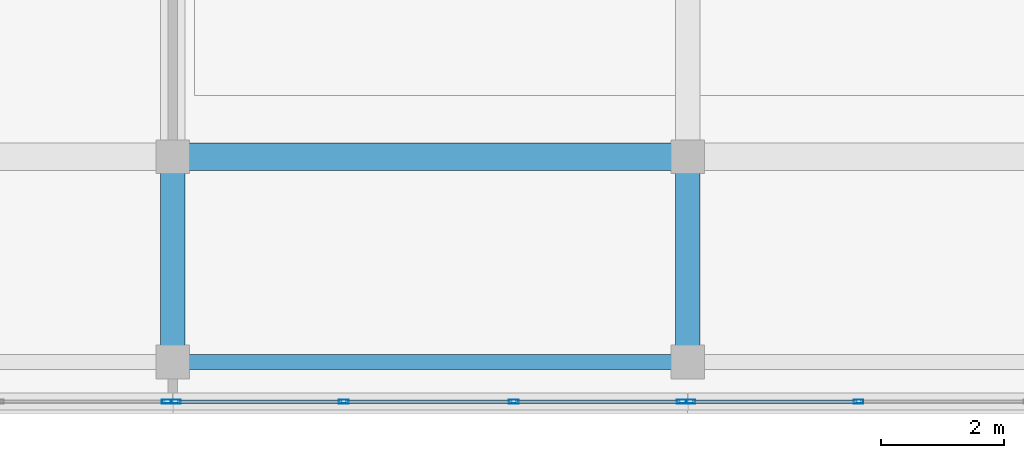
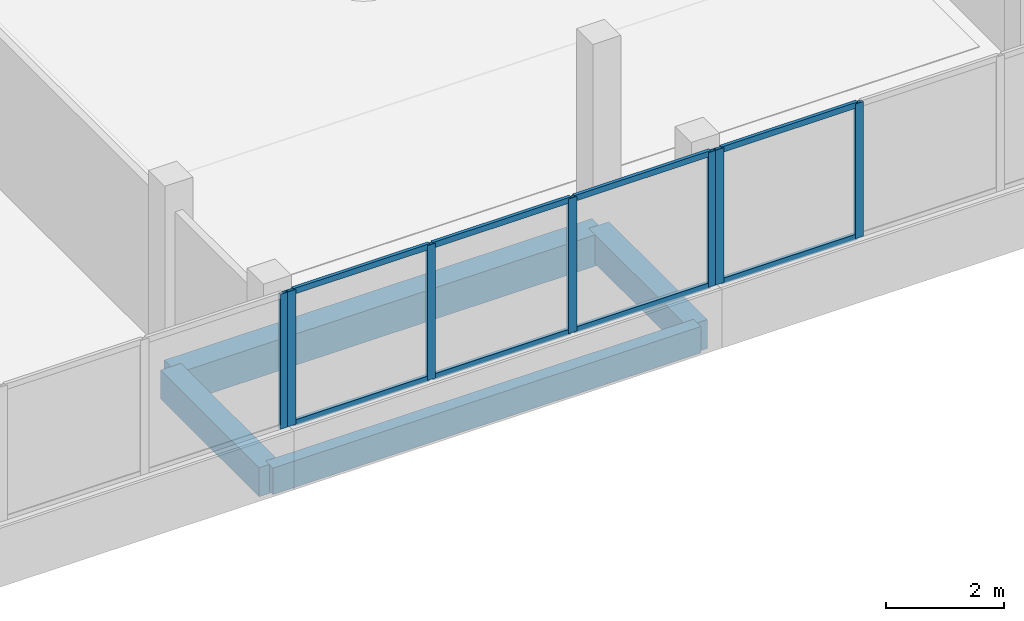
# One storey, part 34 of 67: 15 members, 4 beams, 3 elements without a shape of their own.
"""IFC4 building model written with IfcOpenShell, lengths in metres."""

from ifc_helpers import new_model, si_unit, direction, frame, origin, origin_2d, place, context, subcontext, project, spatial, rectangle, hollow_rectangle, extrude, material, material_profile, profile_set, type_object, element, aggregate, save


model = new_model("IFC4")

# Units and contexts
model_context = context("Model", 3, precision=1e-05, world=origin(), true_north=direction((0.0, 1.0)))
body_context = subcontext(model_context, "Body", "Model", "MODEL_VIEW")
ifc_project = project(units=[si_unit("LENGTHUNIT", "METRE"), si_unit("AREAUNIT", "SQUARE_METRE"), si_unit("VOLUMEUNIT", "CUBIC_METRE"), si_unit("PLANEANGLEUNIT", "RADIAN"), si_unit("MASSUNIT", "GRAM", prefix="KILO")], contexts=[model_context])

# Site, building, storey
site_placement = place(None, origin())
site = spatial("IfcSite", under=ifc_project, at=site_placement, CompositionType="ELEMENT")
building_placement = place(site_placement, origin())
building = spatial("IfcBuilding", under=site, at=building_placement, Name="Selatvlak General Hospital", CompositionType="ELEMENT")
storey_placement = place(building_placement, frame((0.0, 0.0, 35.39990234375)))
storey = spatial("IfcBuildingStorey", under=building, at=storey_placement, Name="L08", CompositionType="ELEMENT", Elevation=35.39990234375)

# Beams
ifc_material_1 = material(Name="Concrete C40/50", Category="concrete")
ifc_material_profile_1 = material_profile(ifc_material_1, rectangle(XDim=0.449951171875, YDim=0.64990234375, at=origin_2d()), Name="RC-BM 450x650")
ifc_profile_set_1 = profile_set([ifc_material_profile_1], Name="Concrete C40/50")
beam_type_1 = type_object("IfcBeamType", Name="BM-G04", PredefinedType="BEAM", material=ifc_profile_set_1)
beam_1_placement = place(storey_placement, frame((123.60009765625, 92.0, -0.58984375), z_axis=(1.0, 0.0, 0.0), x_axis=(0.0, 1.0, 0.0)))
element("IfcBeam", 1, at=beam_1_placement, inside=storey, type_object=beam_type_1, Name="Beam BMR-L08-2580", PredefinedType="BEAM", context=body_context, shape_type="SweptSolid", body=[
    extrude(rectangle(XDim=0.449951171875, YDim=0.64990234375, at=origin_2d()), origin(), (0.0, 0.0, 1.0), 8.39990234375),
])
ifc_material_profile_2 = material_profile(ifc_material_1, rectangle(XDim=0.39990234375, YDim=0.60009765625, at=origin_2d()), Name="RC-BM 400x600")
ifc_profile_set_2 = profile_set([ifc_material_profile_2], Name="Concrete C40/50")
beam_type_2 = type_object("IfcBeamType", Name="BM-G05", PredefinedType="BEAM", material=ifc_profile_set_2)
for number, where, z_axis, x_axis, name in (
    (2, (123.60009765625, 88.64990234375, -0.56494140625), (0.0, 1.0, 0.0), (-1.0, 0.0, 0.0), "Beam BMR-L08-2689"),
    (3, (132.0, 88.64990234375, -0.56494140625), (0.0, 1.0, 0.0), (-1.0, 0.0, 0.0), "Beam BMR-L08-2694"),
):
    element("IfcBeam", number, at=place(storey_placement, frame(where, z_axis=z_axis, x_axis=x_axis)), inside=storey, type_object=beam_type_2, Name=name, PredefinedType="BEAM", context=body_context, shape_type="SweptSolid", body=[
        extrude(rectangle(XDim=0.39990234375, YDim=0.60009765625, at=origin_2d()), origin(), (0.0, 0.0, 1.0), 3.35009765625),
    ])
ifc_material_profile_3 = material_profile(ifc_material_1, rectangle(XDim=0.25, YDim=0.550048828125, at=origin_2d()), Name="RC-SP 250x550")
ifc_profile_set_3 = profile_set([ifc_material_profile_3], Name="Concrete C40/50")
beam_type_3 = type_object("IfcBeamType", Name="BM-SP2", PredefinedType="SPANDREL", material=ifc_profile_set_3)
beam_2_placement = place(storey_placement, frame((123.60009765625, 88.64990234375, -0.539794921875), z_axis=(1.0, 0.0, 0.0), x_axis=(0.0, 1.0, 0.0)))
element("IfcBeam", 4, at=beam_2_placement, inside=storey, type_object=beam_type_3, Name="Beam BMR-L08-2563", PredefinedType="SPANDREL", context=body_context, shape_type="SweptSolid", body=[
    extrude(rectangle(XDim=0.25, YDim=0.550048828125, at=origin_2d()), origin(), (0.0, 0.0, 1.0), 8.39990234375),
])

# Curtain wall, members
ifc_material_2 = material(Name="Solar-control Low-E double glazing", Category="glass")
curtain_wall_type_1 = type_object("IfcCurtainWallType", Name="CW-CW-02", PredefinedType="USERDEFINED", material=ifc_material_2)
curtain_wall_1_placement = place(storey_placement, origin())
curtain_wall_1 = element("IfcCurtainWall", 5, at=curtain_wall_1_placement, inside=storey, type_object=curtain_wall_type_1, Name="Glazed facade curtain wall CW-L08-0703", ObjectType="UNITISED CURTAIN WALL", PredefinedType="USERDEFINED")
ifc_material_3 = material(Name="Dark anodised aluminium mullion", Category="aluminium")
ifc_material_profile_4 = material_profile(ifc_material_3, hollow_rectangle(XDim=0.06494140625, YDim=0.159912109375, WallThickness=0.00390625, at=origin_2d()), Name="AL-MUL 65x160x4")
ifc_profile_set_4 = profile_set([ifc_material_profile_4], Name="Dark anodised aluminium mullion")
member_type_1 = type_object("IfcMemberType", Name="CWM-01", PredefinedType="MULLION", material=ifc_profile_set_4)
member_1_placement = place(storey_placement, frame((134.788330078125, 88.0009765625, 0.940185546875), z_axis=(0.0, 0.0, 1.0), x_axis=(0.0, -1.0, 0.0)))
member_1 = element("IfcMember", 6, at=member_1_placement, type_object=member_type_1, Name="CW-02 mullion 3", PredefinedType="MULLION", context=body_context, shape_type="SweptSolid", body=[
    extrude(hollow_rectangle(XDim=0.06494140625, YDim=0.159912109375, WallThickness=0.00390625, at=origin_2d()), origin(), (0.0, 0.0, 1.0), 2.7998046875),
])
member_2_placement = place(storey_placement, frame((132.047607421875, 88.0009765625, 0.940185546875), z_axis=(0.0, 0.0, 1.0), x_axis=(0.0, -1.0, 0.0)))
member_2 = element("IfcMember", 7, at=member_2_placement, type_object=member_type_1, Name="CW-02 mullion 4", PredefinedType="MULLION", context=body_context, shape_type="SweptSolid", body=[
    extrude(hollow_rectangle(XDim=0.06494140625, YDim=0.159912109375, WallThickness=0.00390625, at=origin_2d()), origin(), (0.0, 0.0, 1.0), 2.7998046875),
])

curtain_wall_type_2 = type_object("IfcCurtainWallType", Name="CW-CW-01", PredefinedType="USERDEFINED", material=ifc_material_2)
curtain_wall_2_placement = place(storey_placement, origin())
curtain_wall_2 = element("IfcCurtainWall", 8, at=curtain_wall_2_placement, inside=storey, type_object=curtain_wall_type_2, Name="Glazed facade curtain wall CW-L08-0704", ObjectType="UNITISED CURTAIN WALL", PredefinedType="USERDEFINED")
member_3_placement = place(storey_placement, frame((131.902587890625, 88.0009765625, 0.940185546875), z_axis=(0.0, 0.0, 1.0), x_axis=(0.0, -1.0, 0.0)))
member_3 = element("IfcMember", 9, at=member_3_placement, type_object=member_type_1, Name="CW-01 mullion 1", PredefinedType="MULLION", context=body_context, shape_type="SweptSolid", body=[
    extrude(hollow_rectangle(XDim=0.06494140625, YDim=0.159912109375, WallThickness=0.00390625, at=origin_2d()), origin(), (0.0, 0.0, 1.0), 2.7998046875),
])
member_4_placement = place(storey_placement, frame((129.16162109375, 88.0009765625, 0.940185546875), z_axis=(0.0, 0.0, 1.0), x_axis=(0.0, -1.0, 0.0)))
member_4 = element("IfcMember", 10, at=member_4_placement, type_object=member_type_1, Name="CW-01 mullion 2", PredefinedType="MULLION", context=body_context, shape_type="SweptSolid", body=[
    extrude(hollow_rectangle(XDim=0.06494140625, YDim=0.159912109375, WallThickness=0.00390625, at=origin_2d()), origin(), (0.0, 0.0, 1.0), 2.7998046875),
])
member_5_placement = place(storey_placement, frame((126.388427734375, 88.0009765625, 0.940185546875), z_axis=(0.0, 0.0, 1.0), x_axis=(0.0, -1.0, 0.0)))
member_5 = element("IfcMember", 11, at=member_5_placement, type_object=member_type_1, Name="CW-01 mullion 3", PredefinedType="MULLION", context=body_context, shape_type="SweptSolid", body=[
    extrude(hollow_rectangle(XDim=0.06494140625, YDim=0.159912109375, WallThickness=0.00390625, at=origin_2d()), origin(), (0.0, 0.0, 1.0), 2.7998046875),
])
member_6_placement = place(storey_placement, frame((123.6474609375, 88.0009765625, 0.940185546875), z_axis=(0.0, 0.0, 1.0), x_axis=(0.0, -1.0, 0.0)))
member_6 = element("IfcMember", 12, at=member_6_placement, type_object=member_type_1, Name="CW-01 mullion 4", PredefinedType="MULLION", context=body_context, shape_type="SweptSolid", body=[
    extrude(hollow_rectangle(XDim=0.06494140625, YDim=0.159912109375, WallThickness=0.00390625, at=origin_2d()), origin(), (0.0, 0.0, 1.0), 2.7998046875),
])

# Curtain wall, member
curtain_wall_3_placement = place(storey_placement, origin())
curtain_wall_3 = element("IfcCurtainWall", 13, at=curtain_wall_3_placement, inside=storey, type_object=curtain_wall_type_1, Name="Glazed facade curtain wall CW-L08-0705", ObjectType="UNITISED CURTAIN WALL", PredefinedType="USERDEFINED")
member_7_placement = place(storey_placement, frame((123.50244140625, 88.0009765625, 0.940185546875), z_axis=(0.0, 0.0, 1.0), x_axis=(0.0, -1.0, 0.0)))
member_7 = element("IfcMember", 14, at=member_7_placement, type_object=member_type_1, Name="CW-02 mullion 1", PredefinedType="MULLION", context=body_context, shape_type="SweptSolid", body=[
    extrude(hollow_rectangle(XDim=0.06494140625, YDim=0.159912109375, WallThickness=0.00390625, at=origin_2d()), origin(), (0.0, 0.0, 1.0), 2.7998046875),
])
aggregate(curtain_wall_3, [member_7])

# Member
ifc_material_profile_5 = material_profile(ifc_material_3, hollow_rectangle(XDim=0.06494140625, YDim=0.1201171875, WallThickness=0.00390625, at=origin_2d()), Name="AL-TRN 65x120x4")
ifc_profile_set_5 = profile_set([ifc_material_profile_5], Name="Dark anodised aluminium mullion")
member_type_2 = type_object("IfcMemberType", Name="CWT-01", PredefinedType="USERDEFINED", material=ifc_profile_set_5)
member_8_placement = place(storey_placement, frame((134.755859375, 88.0009765625, 0.97265625), z_axis=(-1.0, 0.0, 0.0), x_axis=(0.0, -1.0, 0.0)))
member_8 = element("IfcMember", 15, at=member_8_placement, type_object=member_type_2, Name="CW-02 transom 3.1", ObjectType="TRANSOM", PredefinedType="USERDEFINED", context=body_context, shape_type="SweptSolid", body=[
    extrude(hollow_rectangle(XDim=0.06494140625, YDim=0.1201171875, WallThickness=0.00390625, at=origin_2d()), origin(), (0.0, 0.0, 1.0), 2.67578125),
])

member_9_placement = place(storey_placement, frame((134.755859375, 88.0009765625, 3.70751953125), z_axis=(-1.0, 0.0, 0.0), x_axis=(0.0, -1.0, 0.0)))
member_9 = element("IfcMember", 16, at=member_9_placement, type_object=member_type_2, Name="CW-02 transom 3.2", ObjectType="TRANSOM", PredefinedType="USERDEFINED", context=body_context, shape_type="SweptSolid", body=[
    extrude(hollow_rectangle(XDim=0.06494140625, YDim=0.1201171875, WallThickness=0.00390625, at=origin_2d()), origin(), (0.0, 0.0, 1.0), 2.67578125),
])

aggregate(curtain_wall_1, [member_1, member_2, member_8, member_9])

member_10_placement = place(storey_placement, frame((131.8701171875, 88.0009765625, 0.97265625), z_axis=(-1.0, 0.0, 0.0), x_axis=(0.0, -1.0, 0.0)))
member_10 = element("IfcMember", 17, at=member_10_placement, type_object=member_type_2, Name="CW-01 transom 1.1", ObjectType="TRANSOM", PredefinedType="USERDEFINED", context=body_context, shape_type="SweptSolid", body=[
    extrude(hollow_rectangle(XDim=0.06494140625, YDim=0.1201171875, WallThickness=0.00390625, at=origin_2d()), origin(), (0.0, 0.0, 1.0), 2.676025390625),
])

member_11_placement = place(storey_placement, frame((131.8701171875, 88.0009765625, 3.70751953125), z_axis=(-1.0, 0.0, 0.0), x_axis=(0.0, -1.0, 0.0)))
member_11 = element("IfcMember", 18, at=member_11_placement, type_object=member_type_2, Name="CW-01 transom 1.2", ObjectType="TRANSOM", PredefinedType="USERDEFINED", context=body_context, shape_type="SweptSolid", body=[
    extrude(hollow_rectangle(XDim=0.06494140625, YDim=0.1201171875, WallThickness=0.00390625, at=origin_2d()), origin(), (0.0, 0.0, 1.0), 2.676025390625),
])

member_12_placement = place(storey_placement, frame((129.129150390625, 88.0009765625, 0.97265625), z_axis=(-1.0, 0.0, 0.0), x_axis=(0.0, -1.0, 0.0)))
member_12 = element("IfcMember", 19, at=member_12_placement, type_object=member_type_2, Name="CW-01 transom 2.1", ObjectType="TRANSOM", PredefinedType="USERDEFINED", context=body_context, shape_type="SweptSolid", body=[
    extrude(hollow_rectangle(XDim=0.06494140625, YDim=0.1201171875, WallThickness=0.00390625, at=origin_2d()), origin(), (0.0, 0.0, 1.0), 2.708251953125),
])

member_13_placement = place(storey_placement, frame((129.129150390625, 88.0009765625, 3.70751953125), z_axis=(-1.0, 0.0, 0.0), x_axis=(0.0, -1.0, 0.0)))
member_13 = element("IfcMember", 20, at=member_13_placement, type_object=member_type_2, Name="CW-01 transom 2.2", ObjectType="TRANSOM", PredefinedType="USERDEFINED", context=body_context, shape_type="SweptSolid", body=[
    extrude(hollow_rectangle(XDim=0.06494140625, YDim=0.1201171875, WallThickness=0.00390625, at=origin_2d()), origin(), (0.0, 0.0, 1.0), 2.708251953125),
])

member_14_placement = place(storey_placement, frame((126.355712890625, 88.0009765625, 0.97265625), z_axis=(-1.0, 0.0, 0.0), x_axis=(0.0, -1.0, 0.0)))
member_14 = element("IfcMember", 21, at=member_14_placement, type_object=member_type_2, Name="CW-01 transom 3.1", ObjectType="TRANSOM", PredefinedType="USERDEFINED", context=body_context, shape_type="SweptSolid", body=[
    extrude(hollow_rectangle(XDim=0.06494140625, YDim=0.1201171875, WallThickness=0.00390625, at=origin_2d()), origin(), (0.0, 0.0, 1.0), 2.67578125),
])

member_15_placement = place(storey_placement, frame((126.355712890625, 88.0009765625, 3.70751953125), z_axis=(-1.0, 0.0, 0.0), x_axis=(0.0, -1.0, 0.0)))
member_15 = element("IfcMember", 22, at=member_15_placement, type_object=member_type_2, Name="CW-01 transom 3.2", ObjectType="TRANSOM", PredefinedType="USERDEFINED", context=body_context, shape_type="SweptSolid", body=[
    extrude(hollow_rectangle(XDim=0.06494140625, YDim=0.1201171875, WallThickness=0.00390625, at=origin_2d()), origin(), (0.0, 0.0, 1.0), 2.67578125),
])

aggregate(curtain_wall_2, [member_3, member_4, member_5, member_6, member_10, member_11, member_12, member_13, member_14, member_15])

save(model, "model.ifc")
